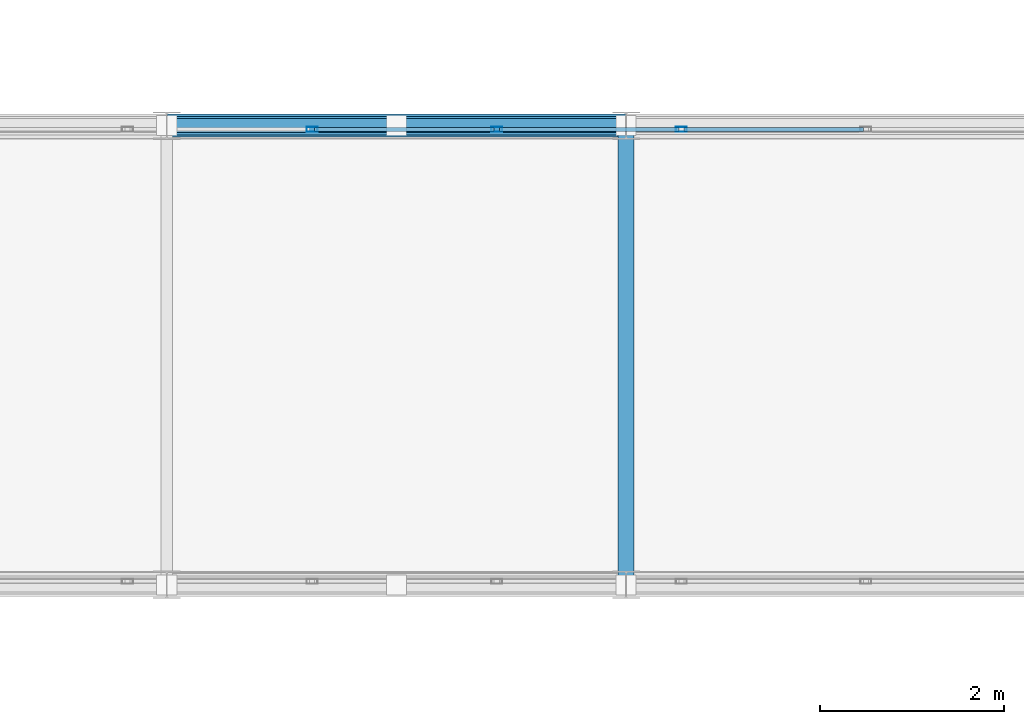
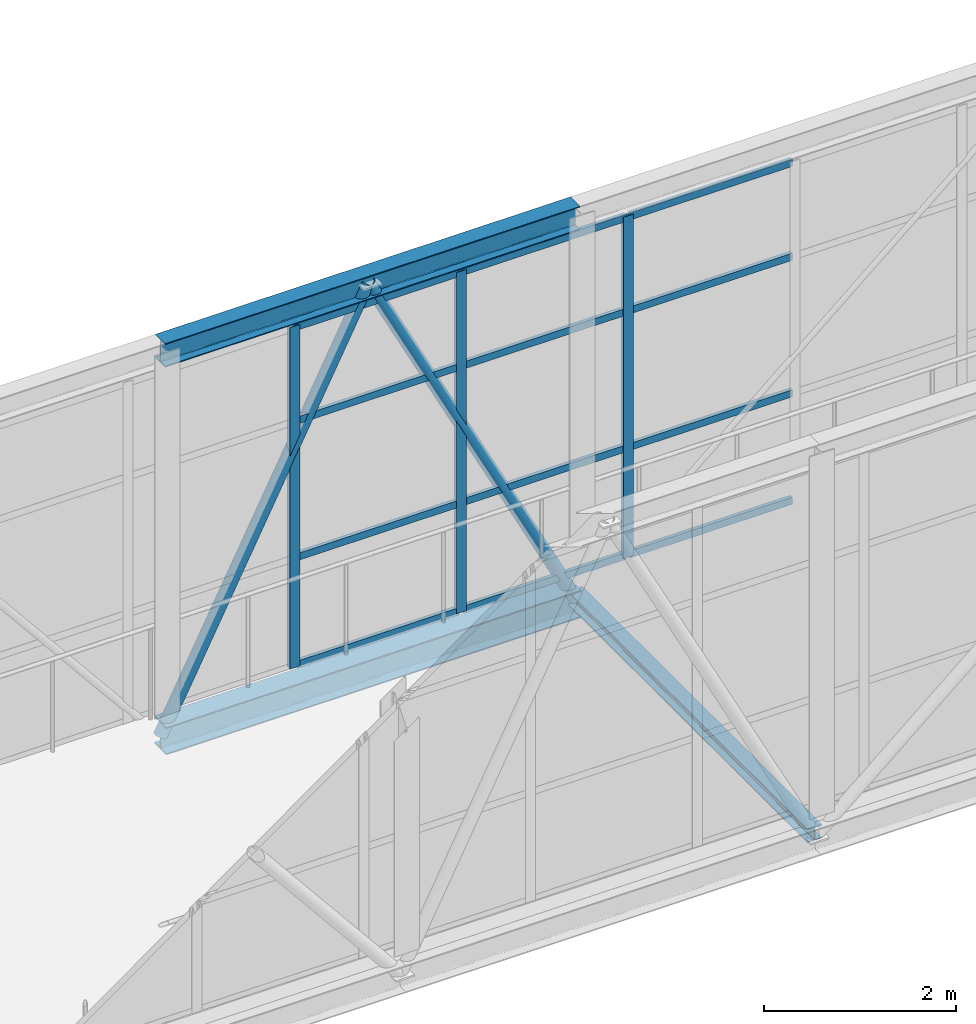
# One storey, part 102 of 248: 20 members, 1 element without a shape of its own.
"""IFC4 building model written with IfcOpenShell, lengths in metres."""

from ifc_helpers import new_model, si_unit, direction, frame, origin, origin_2d, place, context, subcontext, project, spatial, hollow_rectangle, hollow_circle, i_section, extrude, material, layer, layer_set, material_profile, profile_set, type_object, element, aggregate, save


model = new_model("IFC4")

# Units and contexts
model_context = context("Model", 3, precision=1e-05, world=origin(), true_north=direction((0.0, 1.0)))
body_context = subcontext(model_context, "Body", "Model", "MODEL_VIEW")
ifc_project = project(units=[si_unit("LENGTHUNIT", "METRE"), si_unit("AREAUNIT", "SQUARE_METRE"), si_unit("VOLUMEUNIT", "CUBIC_METRE"), si_unit("PLANEANGLEUNIT", "RADIAN"), si_unit("MASSUNIT", "GRAM", prefix="KILO")], contexts=[model_context])

# Site, building, storey
site_placement = place(None, origin())
site = spatial("IfcSite", under=ifc_project, at=site_placement, CompositionType="ELEMENT")
building_placement = place(site_placement, origin())
building = spatial("IfcBuilding", under=site, at=building_placement, Name="Canggui Botanical Conservatory", CompositionType="ELEMENT")
storey_placement = place(building_placement, frame((0.0, 0.0, 5.39990234375)))
storey = spatial("IfcBuildingStorey", under=building, at=storey_placement, Name="L02", CompositionType="ELEMENT", Elevation=5.39990234375)

# Curtain wall, members
ifc_material_1 = material(Name="Thermally Broken Aluminium", Category="aluminium")
ifc_layer = layer(ifc_material_1, 0.1201171875, Name="Thermally Broken Aluminium", Category="aluminium")
ifc_layer_set = layer_set([ifc_layer], Name="Thermally Broken Aluminium")
curtain_wall_type = type_object("IfcCurtainWallType", Name="CW-STICK-B", PredefinedType="USERDEFINED", material=ifc_layer_set)
curtain_wall_placement = place(storey_placement, origin())
curtain_wall = element("IfcCurtainWall", 1, at=curtain_wall_placement, inside=storey, type_object=curtain_wall_type, Name="Facade Curtain Wall CW-SB-01-2", ObjectType="STICK GLAZED WALL", PredefinedType="USERDEFINED")
ifc_material_profile_1 = material_profile(ifc_material_1, hollow_rectangle(XDim=0.054931640625, YDim=0.1201171875, WallThickness=0.0029296875, at=origin_2d()), Name="CWM 55x120x3")
ifc_profile_set_1 = profile_set([ifc_material_profile_1], Name="Thermally Broken Aluminium")
member_type_1 = type_object("IfcMemberType", Name="CWM-05", PredefinedType="MULLION", material=ifc_profile_set_1)
member_1_placement = place(storey_placement, frame((115.082275390625, 30.9599609375, 0.0), z_axis=(0.0, 0.0, 1.0), x_axis=(0.0, 1.0, 0.0)))
member_1 = element("IfcMember", 2, at=member_1_placement, type_object=member_type_1, Name="CW-05 mullion 25", PredefinedType="MULLION", context=body_context, shape_type="SweptSolid", body=[
    extrude(hollow_rectangle(XDim=0.054931640625, YDim=0.1201171875, WallThickness=0.0029296875, at=origin_2d()), origin(), (0.0, 0.0, 1.0), 4.35009765625),
])
member_2_placement = place(storey_placement, frame((117.092041015625, 30.9599609375, 0.0), z_axis=(0.0, 0.0, 1.0), x_axis=(0.0, 1.0, 0.0)))
member_2 = element("IfcMember", 3, at=member_2_placement, type_object=member_type_1, Name="CW-05 mullion 26", PredefinedType="MULLION", context=body_context, shape_type="SweptSolid", body=[
    extrude(hollow_rectangle(XDim=0.054931640625, YDim=0.1201171875, WallThickness=0.0029296875, at=origin_2d()), origin(), (0.0, 0.0, 1.0), 4.35009765625),
])
member_3_placement = place(storey_placement, frame((119.1015625, 30.9599609375, 0.0), z_axis=(0.0, 0.0, 1.0), x_axis=(0.0, 1.0, 0.0)))
member_3 = element("IfcMember", 4, at=member_3_placement, type_object=member_type_1, Name="CW-05 mullion 27", PredefinedType="MULLION", context=body_context, shape_type="SweptSolid", body=[
    extrude(hollow_rectangle(XDim=0.054931640625, YDim=0.1201171875, WallThickness=0.0029296875, at=origin_2d()), origin(), (0.0, 0.0, 1.0), 4.35009765625),
])
ifc_material_profile_2 = material_profile(ifc_material_1, hollow_rectangle(XDim=0.044921875, YDim=0.090087890625, WallThickness=0.0029296875, at=origin_2d()), Name="CWT 45x90x3")
ifc_profile_set_2 = profile_set([ifc_material_profile_2], Name="Thermally Broken Aluminium")
member_type_2 = type_object("IfcMemberType", Name="CWT-05", PredefinedType="USERDEFINED", material=ifc_profile_set_2)
member_4_placement = place(storey_placement, frame((115.10986328125, 30.9599609375, 0.022705078125), z_axis=(1.0, 0.0, 0.0), x_axis=(0.0, 1.0, 0.0)))
member_4 = element("IfcMember", 5, at=member_4_placement, type_object=member_type_2, Name="CW-05 transom 25.1", ObjectType="TRANSOM", PredefinedType="USERDEFINED", context=body_context, shape_type="SweptSolid", body=[
    extrude(hollow_rectangle(XDim=0.044921875, YDim=0.090087890625, WallThickness=0.0029296875, at=origin_2d()), origin(), (0.0, 0.0, 1.0), 1.95458984375),
])
member_5_placement = place(storey_placement, frame((115.10986328125, 30.9599609375, 1.39208984375), z_axis=(1.0, 0.0, 0.0), x_axis=(0.0, 1.0, 0.0)))
member_5 = element("IfcMember", 6, at=member_5_placement, type_object=member_type_2, Name="CW-05 transom 25.2", ObjectType="TRANSOM", PredefinedType="USERDEFINED", context=body_context, shape_type="SweptSolid", body=[
    extrude(hollow_rectangle(XDim=0.044921875, YDim=0.090087890625, WallThickness=0.0029296875, at=origin_2d()), origin(), (0.0, 0.0, 1.0), 1.95458984375),
])
member_6_placement = place(storey_placement, frame((115.10986328125, 30.9599609375, 3.132080078125), z_axis=(1.0, 0.0, 0.0), x_axis=(0.0, 1.0, 0.0)))
member_6 = element("IfcMember", 7, at=member_6_placement, type_object=member_type_2, Name="CW-05 transom 25.3", ObjectType="TRANSOM", PredefinedType="USERDEFINED", context=body_context, shape_type="SweptSolid", body=[
    extrude(hollow_rectangle(XDim=0.044921875, YDim=0.090087890625, WallThickness=0.0029296875, at=origin_2d()), origin(), (0.0, 0.0, 1.0), 1.95458984375),
])
member_7_placement = place(storey_placement, frame((115.10986328125, 30.9599609375, 4.32763671875), z_axis=(1.0, 0.0, 0.0), x_axis=(0.0, 1.0, 0.0)))
member_7 = element("IfcMember", 8, at=member_7_placement, type_object=member_type_2, Name="CW-05 transom 25.4", ObjectType="TRANSOM", PredefinedType="USERDEFINED", context=body_context, shape_type="SweptSolid", body=[
    extrude(hollow_rectangle(XDim=0.044921875, YDim=0.090087890625, WallThickness=0.0029296875, at=origin_2d()), origin(), (0.0, 0.0, 1.0), 1.95458984375),
])
member_8_placement = place(storey_placement, frame((117.119384765625, 30.9599609375, 0.022705078125), z_axis=(1.0, 0.0, 0.0), x_axis=(0.0, 1.0, 0.0)))
member_8 = element("IfcMember", 9, at=member_8_placement, type_object=member_type_2, Name="CW-05 transom 26.1", ObjectType="TRANSOM", PredefinedType="USERDEFINED", context=body_context, shape_type="SweptSolid", body=[
    extrude(hollow_rectangle(XDim=0.044921875, YDim=0.090087890625, WallThickness=0.0029296875, at=origin_2d()), origin(), (0.0, 0.0, 1.0), 1.954833984375),
])
member_9_placement = place(storey_placement, frame((117.119384765625, 30.9599609375, 1.39208984375), z_axis=(1.0, 0.0, 0.0), x_axis=(0.0, 1.0, 0.0)))
member_9 = element("IfcMember", 10, at=member_9_placement, type_object=member_type_2, Name="CW-05 transom 26.2", ObjectType="TRANSOM", PredefinedType="USERDEFINED", context=body_context, shape_type="SweptSolid", body=[
    extrude(hollow_rectangle(XDim=0.044921875, YDim=0.090087890625, WallThickness=0.0029296875, at=origin_2d()), origin(), (0.0, 0.0, 1.0), 1.954833984375),
])
member_10_placement = place(storey_placement, frame((117.119384765625, 30.9599609375, 3.132080078125), z_axis=(1.0, 0.0, 0.0), x_axis=(0.0, 1.0, 0.0)))
member_10 = element("IfcMember", 11, at=member_10_placement, type_object=member_type_2, Name="CW-05 transom 26.3", ObjectType="TRANSOM", PredefinedType="USERDEFINED", context=body_context, shape_type="SweptSolid", body=[
    extrude(hollow_rectangle(XDim=0.044921875, YDim=0.090087890625, WallThickness=0.0029296875, at=origin_2d()), origin(), (0.0, 0.0, 1.0), 1.954833984375),
])
member_11_placement = place(storey_placement, frame((117.119384765625, 30.9599609375, 4.32763671875), z_axis=(1.0, 0.0, 0.0), x_axis=(0.0, 1.0, 0.0)))
member_11 = element("IfcMember", 12, at=member_11_placement, type_object=member_type_2, Name="CW-05 transom 26.4", ObjectType="TRANSOM", PredefinedType="USERDEFINED", context=body_context, shape_type="SweptSolid", body=[
    extrude(hollow_rectangle(XDim=0.044921875, YDim=0.090087890625, WallThickness=0.0029296875, at=origin_2d()), origin(), (0.0, 0.0, 1.0), 1.954833984375),
])
member_12_placement = place(storey_placement, frame((119.129150390625, 30.9599609375, 0.022705078125), z_axis=(1.0, 0.0, 0.0), x_axis=(0.0, 1.0, 0.0)))
member_12 = element("IfcMember", 13, at=member_12_placement, type_object=member_type_2, Name="CW-05 transom 27.1", ObjectType="TRANSOM", PredefinedType="USERDEFINED", context=body_context, shape_type="SweptSolid", body=[
    extrude(hollow_rectangle(XDim=0.044921875, YDim=0.090087890625, WallThickness=0.0029296875, at=origin_2d()), origin(), (0.0, 0.0, 1.0), 1.95458984375),
])
member_13_placement = place(storey_placement, frame((119.129150390625, 30.9599609375, 1.39208984375), z_axis=(1.0, 0.0, 0.0), x_axis=(0.0, 1.0, 0.0)))
member_13 = element("IfcMember", 14, at=member_13_placement, type_object=member_type_2, Name="CW-05 transom 27.2", ObjectType="TRANSOM", PredefinedType="USERDEFINED", context=body_context, shape_type="SweptSolid", body=[
    extrude(hollow_rectangle(XDim=0.044921875, YDim=0.090087890625, WallThickness=0.0029296875, at=origin_2d()), origin(), (0.0, 0.0, 1.0), 1.95458984375),
])
member_14_placement = place(storey_placement, frame((119.129150390625, 30.9599609375, 3.132080078125), z_axis=(1.0, 0.0, 0.0), x_axis=(0.0, 1.0, 0.0)))
member_14 = element("IfcMember", 15, at=member_14_placement, type_object=member_type_2, Name="CW-05 transom 27.3", ObjectType="TRANSOM", PredefinedType="USERDEFINED", context=body_context, shape_type="SweptSolid", body=[
    extrude(hollow_rectangle(XDim=0.044921875, YDim=0.090087890625, WallThickness=0.0029296875, at=origin_2d()), origin(), (0.0, 0.0, 1.0), 1.95458984375),
])
member_15_placement = place(storey_placement, frame((119.129150390625, 30.9599609375, 4.32763671875), z_axis=(1.0, 0.0, 0.0), x_axis=(0.0, 1.0, 0.0)))
member_15 = element("IfcMember", 16, at=member_15_placement, type_object=member_type_2, Name="CW-05 transom 27.4", ObjectType="TRANSOM", PredefinedType="USERDEFINED", context=body_context, shape_type="SweptSolid", body=[
    extrude(hollow_rectangle(XDim=0.044921875, YDim=0.090087890625, WallThickness=0.0029296875, at=origin_2d()), origin(), (0.0, 0.0, 1.0), 1.95458984375),
])
aggregate(curtain_wall, [member_1, member_2, member_3, member_4, member_5, member_6, member_7, member_8, member_9, member_10, member_11, member_12, member_13, member_14, member_15])

# Members
ifc_material_2 = material(Name="Steel Q355C", Category="steel")
ifc_material_profile_3 = material_profile(ifc_material_2, hollow_circle(Radius=0.075927734375, WallThickness=0.006103515625, at=origin_2d()), Name="CHS 152x6")
ifc_profile_set_3 = profile_set([ifc_material_profile_3], Name="Steel Q355C")
member_type_3 = type_object("IfcMemberType", Name="MEM-GSD04", PredefinedType="RAFTER", material=ifc_profile_set_3)
for number, where, z_axis, x_axis, name in (
    (17, (113.5, 31.0, -0.349853515625), (0.45447752854, 0.0, 0.89075820291), (0.0, 1.0, 0.0), "SB-01 Truss Web Rafter 2.7A"),
    (18, (116.0, 31.0, 4.550048828125), (0.45447752854, 0.0, -0.89075820291), (0.0, 1.0, 0.0), "SB-01 Truss Web Rafter 2.7B"),
):
    element("IfcMember", number, at=place(storey_placement, frame(where, z_axis=z_axis, x_axis=x_axis)), inside=storey, type_object=member_type_3, Name=name, PredefinedType="RAFTER", context=body_context, shape_type="SweptSolid", body=[
        extrude(hollow_circle(Radius=0.075927734375, WallThickness=0.006103515625, at=origin_2d()), origin(), (0.0, 0.0, 1.0), 5.500732421875),
    ])
ifc_material_3 = material(Name="Steel Q355B", Category="steel")
ifc_material_profile_4 = material_profile(ifc_material_3, i_section(OverallWidth=0.175048828125, OverallDepth=0.175048828125, WebThickness=0.007568359375, FlangeThickness=0.010986328125, FilletRadius=0.011962890625, at=origin_2d()), Name="HW 175x175x7.5x11")
ifc_profile_set_4 = profile_set([ifc_material_profile_4], Name="Steel Q355B")
member_type_4 = type_object("IfcMemberType", Name="MEM-STR02", PredefinedType="STRINGER", material=ifc_profile_set_4)
member_16_placement = place(storey_placement, frame((118.5, 26.0, -0.31982421875), z_axis=(0.0, 1.0, 0.0), x_axis=(-1.0, 0.0, 0.0)))
element("IfcMember", 19, at=member_16_placement, inside=storey, type_object=member_type_4, Name="SB-01 Deck Transverse Stringer 7", PredefinedType="STRINGER", context=body_context, shape_type="SweptSolid", body=[
    extrude(i_section(OverallWidth=0.175048828125, OverallDepth=0.175048828125, WebThickness=0.007568359375, FlangeThickness=0.010986328125, FilletRadius=0.011962890625, at=origin_2d()), origin(), (0.0, 0.0, 1.0), 5.0),
])
ifc_material_profile_5 = material_profile(ifc_material_3, i_section(OverallWidth=0.25, OverallDepth=0.35009765625, WebThickness=0.009033203125, FlangeThickness=0.013916015625, FilletRadius=0.02001953125, at=origin_2d()), Name="HM 350x250x9x14")
ifc_profile_set_5 = profile_set([ifc_material_profile_5], Name="Steel Q355B")
member_type_5 = type_object("IfcMemberType", Name="MEM-TC03", PredefinedType="CHORD", material=ifc_profile_set_5)
member_17_placement = place(storey_placement, frame((113.5, 31.0, -0.349853515625), z_axis=(1.0, 0.0, 0.0), x_axis=(0.0, 1.0, 0.0)))
element("IfcMember", 20, at=member_17_placement, inside=storey, type_object=member_type_5, Name="SB-01 Deck Truss Bottom Chord 2.7", PredefinedType="CHORD", context=body_context, shape_type="SweptSolid", body=[
    extrude(i_section(OverallWidth=0.25, OverallDepth=0.35009765625, WebThickness=0.009033203125, FlangeThickness=0.013916015625, FilletRadius=0.02001953125, at=origin_2d()), origin(), (0.0, 0.0, 1.0), 5.0),
])
ifc_material_profile_6 = material_profile(ifc_material_3, i_section(OverallWidth=0.199951171875, OverallDepth=0.300048828125, WebThickness=0.008056640625, FlangeThickness=0.011962890625, FilletRadius=0.01806640625, at=origin_2d()), Name="HM 300x200x8x12")
ifc_profile_set_6 = profile_set([ifc_material_profile_6], Name="Steel Q355B")
member_type_6 = type_object("IfcMemberType", Name="MEM-TC04", PredefinedType="CHORD", material=ifc_profile_set_6)
member_18_placement = place(storey_placement, frame((113.5, 31.0, 4.550048828125), z_axis=(1.0, 0.0, 0.0), x_axis=(0.0, 1.0, 0.0)))
element("IfcMember", 21, at=member_18_placement, inside=storey, type_object=member_type_6, Name="SB-01 Roof Truss Top Chord 2.7", PredefinedType="CHORD", context=body_context, shape_type="SweptSolid", body=[
    extrude(i_section(OverallWidth=0.199951171875, OverallDepth=0.300048828125, WebThickness=0.008056640625, FlangeThickness=0.011962890625, FilletRadius=0.01806640625, at=origin_2d()), origin(), (0.0, 0.0, 1.0), 5.0),
])

save(model, "model.ifc")
